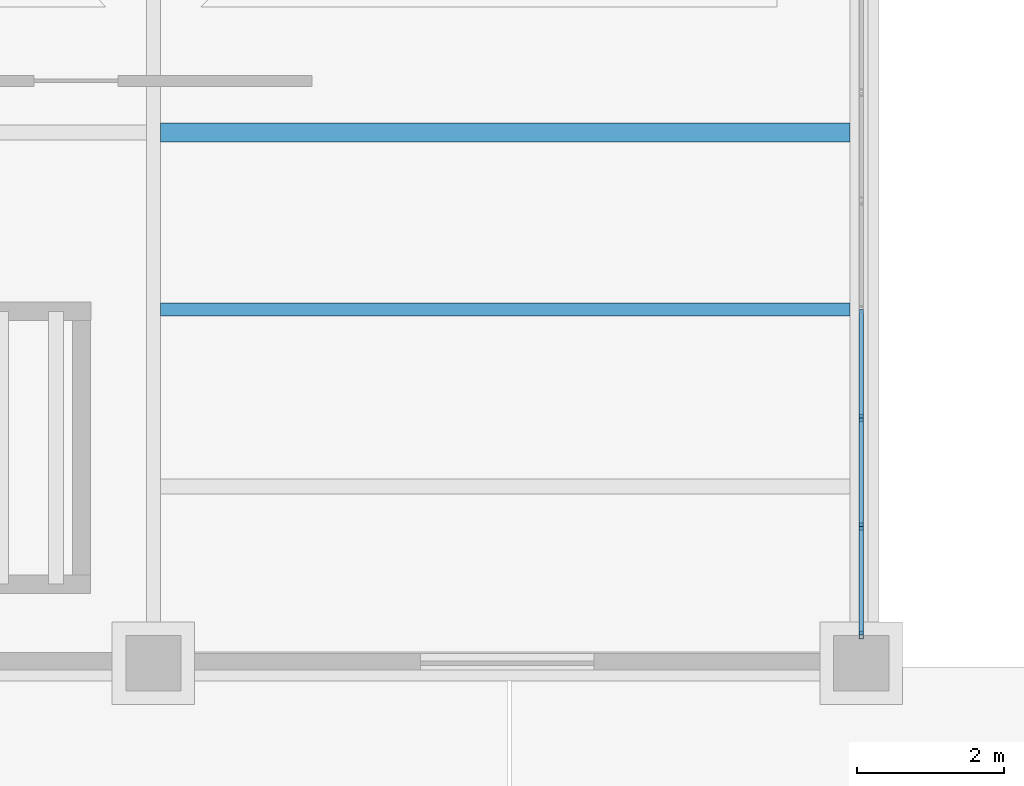
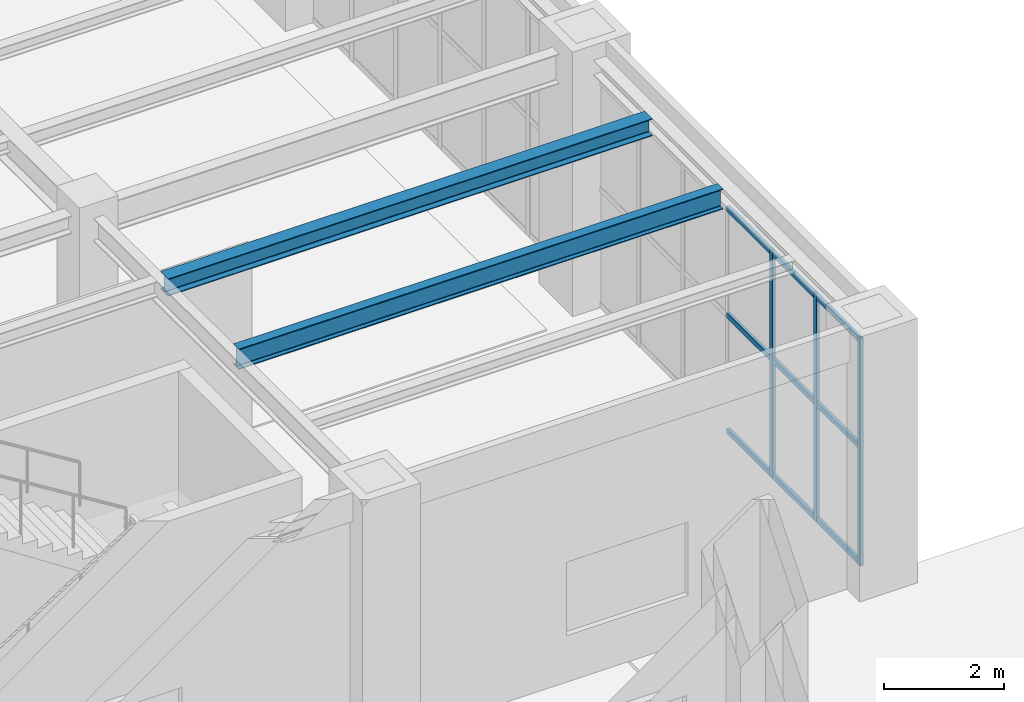
# One storey, part 66 of 164: 12 members, 2 beams, 1 element without a shape of its own.
"""IFC4 building model written with IfcOpenShell, lengths in metres."""

from ifc_helpers import new_model, si_unit, direction, frame, origin, origin_2d, place, context, subcontext, project, spatial, hollow_rectangle, i_section, extrude, material, material_profile, profile_set, type_object, element, aggregate, save


model = new_model("IFC4")

# Units and contexts
model_context = context("Model", 3, precision=1e-05, world=origin(), true_north=direction((0.0, 1.0)))
body_context = subcontext(model_context, "Body", "Model", "MODEL_VIEW")
ifc_project = project(units=[si_unit("LENGTHUNIT", "METRE"), si_unit("AREAUNIT", "SQUARE_METRE"), si_unit("VOLUMEUNIT", "CUBIC_METRE"), si_unit("PLANEANGLEUNIT", "RADIAN"), si_unit("MASSUNIT", "GRAM", prefix="KILO")], contexts=[model_context])

# Site, building, storey
site_placement = place(None, origin())
site = spatial("IfcSite", under=ifc_project, at=site_placement, CompositionType="ELEMENT")
building_placement = place(site_placement, origin())
building = spatial("IfcBuilding", under=site, at=building_placement, Name="Mavantir Sound Aquarium", CompositionType="ELEMENT")
storey_placement = place(building_placement, origin())
storey = spatial("IfcBuildingStorey", under=building, at=storey_placement, Name="L00", CompositionType="ELEMENT", Elevation=0.0)

# Beams
ifc_material_1 = material(Name="Structural Steel ASTM A992 Gr50", Category="steel")
ifc_material_profile_1 = material_profile(ifc_material_1, i_section(OverallWidth=0.25390625, OverallDepth=0.35302734375, WebThickness=0.009521484375, FlangeThickness=0.016357421875, FilletRadius=0.014892578125, at=origin_2d()), Name="W360X91")
ifc_profile_set_1 = profile_set([ifc_material_profile_1], Name="Structural Steel ASTM A992 Gr50")
beam_type_1 = type_object("IfcBeamType", Name="BM-W360X91-I", PredefinedType="JOIST", material=ifc_profile_set_1)
beam_1_placement = place(storey_placement, frame((28.89697265625, 90.800048828125, 4.91943359375), z_axis=(1.0, 0.0, 0.0), x_axis=(0.0, 1.0, 0.0)))
element("IfcBeam", 1, at=beam_1_placement, inside=storey, type_object=beam_type_1, Name="L00 secondary floor joist SJ-36 582", PredefinedType="JOIST", context=body_context, shape_type="SweptSolid", body=[
    extrude(i_section(OverallWidth=0.25390625, OverallDepth=0.35302734375, WebThickness=0.009521484375, FlangeThickness=0.016357421875, FilletRadius=0.014892578125, at=origin_2d()), origin(), (0.0, 0.0, 1.0), 9.3505859375),
])
ifc_material_profile_2 = material_profile(ifc_material_1, i_section(OverallWidth=0.180908203125, OverallDepth=0.4169921875, WebThickness=0.010986328125, FlangeThickness=0.018310546875, FilletRadius=0.014892578125, at=origin_2d()), Name="W410X85")
ifc_profile_set_2 = profile_set([ifc_material_profile_2], Name="Structural Steel ASTM A992 Gr50")
beam_type_2 = type_object("IfcBeamType", Name="BM-W410X85-I", PredefinedType="JOIST", material=ifc_profile_set_2)
beam_2_placement = place(storey_placement, frame((28.89697265625, 88.39990234375, 4.887451171875), z_axis=(1.0, 0.0, 0.0), x_axis=(0.0, 1.0, 0.0)))
element("IfcBeam", 2, at=beam_2_placement, inside=storey, type_object=beam_type_2, Name="L00 secondary floor joist SJ-41 581", PredefinedType="JOIST", context=body_context, shape_type="SweptSolid", body=[
    extrude(i_section(OverallWidth=0.180908203125, OverallDepth=0.4169921875, WebThickness=0.010986328125, FlangeThickness=0.018310546875, FilletRadius=0.014892578125, at=origin_2d()), origin(), (0.0, 0.0, 1.0), 9.3505859375),
])

# Curtain wall, members
ifc_material_2 = material(Name="Anodised Marine Aluminium and Low-E Glass", Category="aluminium")
curtain_wall_type = type_object("IfcCurtainWallType", Name="CW-T07", PredefinedType="USERDEFINED", material=ifc_material_2)
curtain_wall_placement = place(storey_placement, origin())
curtain_wall = element("IfcCurtainWall", 3, at=curtain_wall_placement, inside=storey, type_object=curtain_wall_type, Name="L00 unitised curtain wall CW-07 31", ObjectType="UNITISED GLAZING", PredefinedType="USERDEFINED")
ifc_material_3 = material(Name="Anodised Marine Aluminium 6063-T6", Category="aluminium")
ifc_material_profile_3 = material_profile(ifc_material_3, hollow_rectangle(XDim=0.06005859375, YDim=0.10009765625, WallThickness=0.00390625, at=origin_2d()), Name="ALU-MULLION-100X60")
ifc_profile_set_3 = profile_set([ifc_material_profile_3], Name="Anodised Marine Aluminium 6063-T6")
member_type_1 = type_object("IfcMemberType", Name="CW-MUL-100", PredefinedType="MULLION", material=ifc_profile_set_3)
member_1_placement = place(storey_placement, frame((38.39990234375, 83.98291015625, 0.0), z_axis=(0.0, 0.0, 1.0), x_axis=(1.0, 0.0, 0.0)))
member_1 = element("IfcMember", 4, at=member_1_placement, type_object=member_type_1, Name="CW-L00-031 vertical mullion 1", PredefinedType="MULLION", context=body_context, shape_type="SweptSolid", body=[
    extrude(hollow_rectangle(XDim=0.06005859375, YDim=0.10009765625, WallThickness=0.00390625, at=origin_2d()), origin(), (0.0, 0.0, 1.0), 4.64892578125),
])
member_2_placement = place(storey_placement, frame((38.39990234375, 85.455322265625, 0.0), z_axis=(0.0, 0.0, 1.0), x_axis=(1.0, 0.0, 0.0)))
member_2 = element("IfcMember", 5, at=member_2_placement, type_object=member_type_1, Name="CW-L00-031 vertical mullion 2", PredefinedType="MULLION", context=body_context, shape_type="SweptSolid", body=[
    extrude(hollow_rectangle(XDim=0.06005859375, YDim=0.10009765625, WallThickness=0.00390625, at=origin_2d()), origin(), (0.0, 0.0, 1.0), 4.64892578125),
])
member_3_placement = place(storey_placement, frame((38.39990234375, 86.927734375, 0.0), z_axis=(0.0, 0.0, 1.0), x_axis=(1.0, 0.0, 0.0)))
member_3 = element("IfcMember", 6, at=member_3_placement, type_object=member_type_1, Name="CW-L00-031 vertical mullion 3", PredefinedType="MULLION", context=body_context, shape_type="SweptSolid", body=[
    extrude(hollow_rectangle(XDim=0.06005859375, YDim=0.10009765625, WallThickness=0.00390625, at=origin_2d()), origin(), (0.0, 0.0, 1.0), 4.64892578125),
])
ifc_material_profile_4 = material_profile(ifc_material_3, hollow_rectangle(XDim=0.06005859375, YDim=0.110107421875, WallThickness=0.00390625, at=origin_2d()), Name="ALU-TRANSOM-110X60")
ifc_profile_set_4 = profile_set([ifc_material_profile_4], Name="Anodised Marine Aluminium 6063-T6")
member_type_2 = type_object("IfcMemberType", Name="CW-TRN-110", PredefinedType="USERDEFINED", material=ifc_profile_set_4)
member_4_placement = place(storey_placement, frame((38.39990234375, 83.98291015625, 0.054931640625), z_axis=(0.0, 1.0, 0.0), x_axis=(-1.0, 0.0, 0.0)))
member_4 = element("IfcMember", 7, at=member_4_placement, type_object=member_type_2, Name="CW-L00-031 transom 1.1", ObjectType="TRANSOM", PredefinedType="USERDEFINED", context=body_context, shape_type="SweptSolid", body=[
    extrude(hollow_rectangle(XDim=0.06005859375, YDim=0.110107421875, WallThickness=0.00390625, at=origin_2d()), origin(), (0.0, 0.0, 1.0), 1.472412109375),
])
member_5_placement = place(storey_placement, frame((38.39990234375, 83.98291015625, 2.41748046875), z_axis=(0.0, 1.0, 0.0), x_axis=(-1.0, 0.0, 0.0)))
member_5 = element("IfcMember", 8, at=member_5_placement, type_object=member_type_2, Name="CW-L00-031 transom 1.2", ObjectType="TRANSOM", PredefinedType="USERDEFINED", context=body_context, shape_type="SweptSolid", body=[
    extrude(hollow_rectangle(XDim=0.06005859375, YDim=0.110107421875, WallThickness=0.00390625, at=origin_2d()), origin(), (0.0, 0.0, 1.0), 1.472412109375),
])
member_6_placement = place(storey_placement, frame((38.39990234375, 83.98291015625, 4.593994140625), z_axis=(0.0, 1.0, 0.0), x_axis=(-1.0, 0.0, 0.0)))
member_6 = element("IfcMember", 9, at=member_6_placement, type_object=member_type_2, Name="CW-L00-031 transom 1.3", ObjectType="TRANSOM", PredefinedType="USERDEFINED", context=body_context, shape_type="SweptSolid", body=[
    extrude(hollow_rectangle(XDim=0.06005859375, YDim=0.110107421875, WallThickness=0.00390625, at=origin_2d()), origin(), (0.0, 0.0, 1.0), 1.472412109375),
])
member_7_placement = place(storey_placement, frame((38.39990234375, 85.455322265625, 0.054931640625), z_axis=(0.0, 1.0, 0.0), x_axis=(-1.0, 0.0, 0.0)))
member_7 = element("IfcMember", 10, at=member_7_placement, type_object=member_type_2, Name="CW-L00-031 transom 2.1", ObjectType="TRANSOM", PredefinedType="USERDEFINED", context=body_context, shape_type="SweptSolid", body=[
    extrude(hollow_rectangle(XDim=0.06005859375, YDim=0.110107421875, WallThickness=0.00390625, at=origin_2d()), origin(), (0.0, 0.0, 1.0), 1.472412109375),
])
member_8_placement = place(storey_placement, frame((38.39990234375, 85.455322265625, 2.41748046875), z_axis=(0.0, 1.0, 0.0), x_axis=(-1.0, 0.0, 0.0)))
member_8 = element("IfcMember", 11, at=member_8_placement, type_object=member_type_2, Name="CW-L00-031 transom 2.2", ObjectType="TRANSOM", PredefinedType="USERDEFINED", context=body_context, shape_type="SweptSolid", body=[
    extrude(hollow_rectangle(XDim=0.06005859375, YDim=0.110107421875, WallThickness=0.00390625, at=origin_2d()), origin(), (0.0, 0.0, 1.0), 1.472412109375),
])
member_9_placement = place(storey_placement, frame((38.39990234375, 85.455322265625, 4.593994140625), z_axis=(0.0, 1.0, 0.0), x_axis=(-1.0, 0.0, 0.0)))
member_9 = element("IfcMember", 12, at=member_9_placement, type_object=member_type_2, Name="CW-L00-031 transom 2.3", ObjectType="TRANSOM", PredefinedType="USERDEFINED", context=body_context, shape_type="SweptSolid", body=[
    extrude(hollow_rectangle(XDim=0.06005859375, YDim=0.110107421875, WallThickness=0.00390625, at=origin_2d()), origin(), (0.0, 0.0, 1.0), 1.472412109375),
])
member_10_placement = place(storey_placement, frame((38.39990234375, 86.927734375, 0.054931640625), z_axis=(0.0, 1.0, 0.0), x_axis=(-1.0, 0.0, 0.0)))
member_10 = element("IfcMember", 13, at=member_10_placement, type_object=member_type_2, Name="CW-L00-031 transom 3.1", ObjectType="TRANSOM", PredefinedType="USERDEFINED", context=body_context, shape_type="SweptSolid", body=[
    extrude(hollow_rectangle(XDim=0.06005859375, YDim=0.110107421875, WallThickness=0.00390625, at=origin_2d()), origin(), (0.0, 0.0, 1.0), 1.47216796875),
])
member_11_placement = place(storey_placement, frame((38.39990234375, 86.927734375, 2.41748046875), z_axis=(0.0, 1.0, 0.0), x_axis=(-1.0, 0.0, 0.0)))
member_11 = element("IfcMember", 14, at=member_11_placement, type_object=member_type_2, Name="CW-L00-031 transom 3.2", ObjectType="TRANSOM", PredefinedType="USERDEFINED", context=body_context, shape_type="SweptSolid", body=[
    extrude(hollow_rectangle(XDim=0.06005859375, YDim=0.110107421875, WallThickness=0.00390625, at=origin_2d()), origin(), (0.0, 0.0, 1.0), 1.47216796875),
])
member_12_placement = place(storey_placement, frame((38.39990234375, 86.927734375, 4.593994140625), z_axis=(0.0, 1.0, 0.0), x_axis=(-1.0, 0.0, 0.0)))
member_12 = element("IfcMember", 15, at=member_12_placement, type_object=member_type_2, Name="CW-L00-031 transom 3.3", ObjectType="TRANSOM", PredefinedType="USERDEFINED", context=body_context, shape_type="SweptSolid", body=[
    extrude(hollow_rectangle(XDim=0.06005859375, YDim=0.110107421875, WallThickness=0.00390625, at=origin_2d()), origin(), (0.0, 0.0, 1.0), 1.47216796875),
])
aggregate(curtain_wall, [member_1, member_2, member_3, member_4, member_5, member_6, member_7, member_8, member_9, member_10, member_11, member_12])

save(model, "model.ifc")
